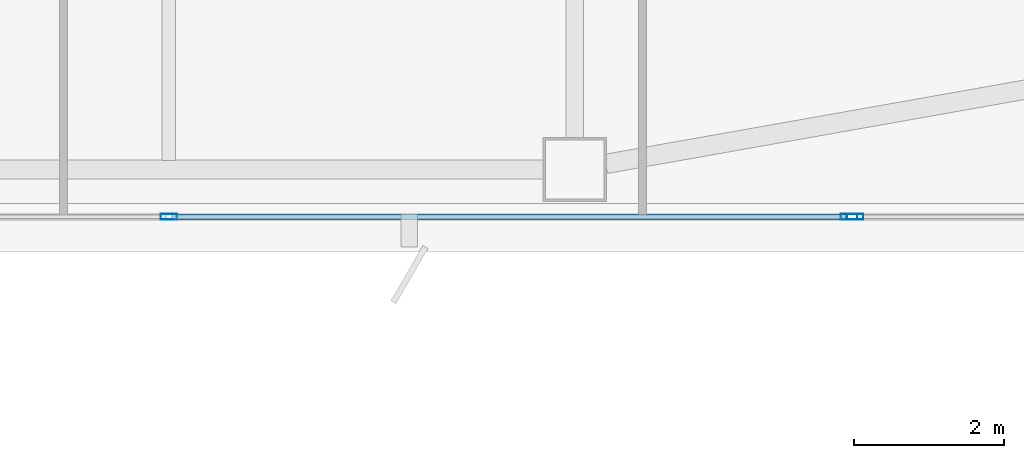
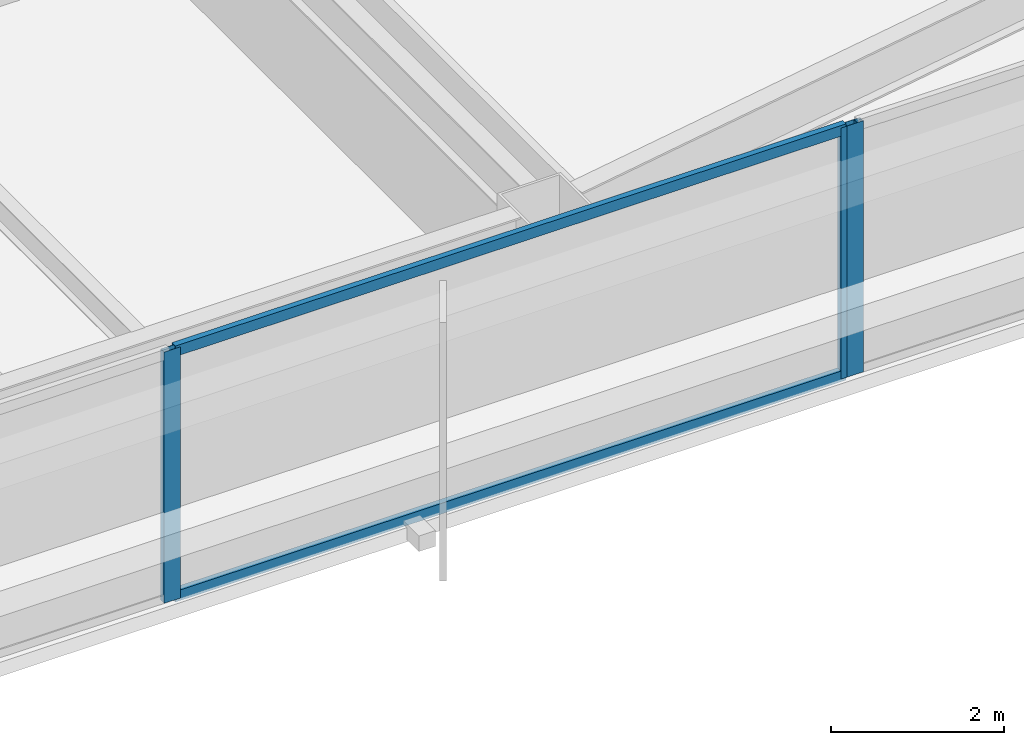
# One storey, part 5 of 49: 5 members, 2 elements without a shape of their own.
"""IFC4 building model written with IfcOpenShell, lengths in metres."""

import ifcopenshell
import ifcopenshell.guid

model = None  # the IFC model being written
_history = None  # IfcOwnerHistory: only IFC2X3 demands one
_inside = {}  # id of a spatial element -> (the spatial element, [elements in it])
_under = {}  # id of a project, library or spatial element -> (it, [spatial elements below it])
_declared = {}  # id of a project -> (the project, [libraries it declares])
_typed = {}  # id of a type object -> (the type object, [elements of that type])
_made_of = {}  # id of a material, layer set ... -> (it, [elements and type objects made of it])


def new_model(schema):
    """Start an empty IFC model of exactly this schema.

    Asked for "IFC4X3", IfcOpenShell would pick the latest addendum, in which some entities
    have other attributes; the version numbers below select the first issue.
    IFC2X3 requires an IfcOwnerHistory on every rooted entity: one is made here for all.
    """
    global model, _history
    if schema == "IFC4X3":
        model = ifcopenshell.file(schema_version=(4, 3, 0, 0))
    else:
        model = ifcopenshell.file(schema=schema)
    _inside.clear()
    _under.clear()
    _declared.clear()
    _typed.clear()
    _made_of.clear()
    _history = None
    if model.schema == "IFC2X3":
        org = make("IfcOrganization", Name="unknown")
        user = make(
            "IfcPersonAndOrganization",
            ThePerson=make("IfcPerson", FamilyName="unknown"),
            TheOrganization=org,
        )
        app = make(
            "IfcApplication",
            ApplicationDeveloper=org,
            Version="unknown",
            ApplicationFullName="unknown",
            ApplicationIdentifier="unknown",
        )
        _history = make(
            "IfcOwnerHistory",
            OwningUser=user,
            OwningApplication=app,
            ChangeAction="ADDED",
            CreationDate=0,
        )
    return model


def make(cls, **values):
    """One entity of the class cls with the attributes given. An attribute that is None is left unset."""
    return model.create_entity(
        cls, **{name: value for name, value in values.items() if value is not None}
    )


def rooted(cls, **values):
    """An entity with a GlobalId (a new one), such as an element, a storey or a relation."""
    return make(cls, GlobalId=ifcopenshell.guid.new(), OwnerHistory=_history, **values)


def si_unit(unit_type, name, prefix=None):
    """IfcSIUnit, for example si_unit("LENGTHUNIT", "METRE", prefix="MILLI")."""
    return make("IfcSIUnit", UnitType=unit_type, Prefix=prefix, Name=name)


def assignment(units):
    """IfcUnitAssignment: the units of a project."""
    return None if units is None else make("IfcUnitAssignment", Units=units)


def point(xyz):
    """IfcCartesianPoint."""
    return None if xyz is None else make("IfcCartesianPoint", Coordinates=xyz)


def direction(xyz):
    """IfcDirection."""
    return None if xyz is None else make("IfcDirection", DirectionRatios=xyz)


def frame(location, z_axis=None, x_axis=None):
    """IfcAxis2Placement3D, a coordinate frame: its origin and axes. An axis left out is left unset."""
    return make(
        "IfcAxis2Placement3D",
        Location=point(location),
        Axis=direction(z_axis),
        RefDirection=direction(x_axis),
    )


def frame_2d(location, x_axis=None):
    """IfcAxis2Placement2D, a coordinate frame in the plane: its origin and x axis."""
    return make(
        "IfcAxis2Placement2D", Location=point(location), RefDirection=direction(x_axis)
    )


def origin():
    """The frame at (0, 0, 0) with its axes left unset."""
    return frame((0.0, 0.0, 0.0))


def origin_2d():
    """The frame at (0, 0) in the plane with its x axis left unset."""
    return frame_2d((0.0, 0.0))


def place(relative_to, where):
    """IfcLocalPlacement: puts the frame where relative to a parent placement (None: the world)."""
    return make(
        "IfcLocalPlacement", PlacementRelTo=relative_to, RelativePlacement=where
    )


def context(
    kind, dimensions, precision=None, world=None, true_north=None, identifier=None
):
    """IfcGeometricRepresentationContext, for example the 3D "Model" context."""
    return make(
        "IfcGeometricRepresentationContext",
        ContextIdentifier=identifier,
        ContextType=kind,
        CoordinateSpaceDimension=dimensions,
        Precision=precision,
        WorldCoordinateSystem=world,
        TrueNorth=true_north,
    )


def subcontext(parent, identifier, kind, view, scale=None):
    """IfcGeometricRepresentationSubContext, for example "Body" below "Model"."""
    return make(
        "IfcGeometricRepresentationSubContext",
        ContextIdentifier=identifier,
        ContextType=kind,
        ParentContext=parent,
        TargetScale=scale,
        TargetView=view,
    )


def project(units=None, contexts=None):
    """IfcProject with its units and contexts."""
    return rooted(
        "IfcProject",
        Name="project",
        RepresentationContexts=contexts,
        UnitsInContext=assignment(units),
    )


def spatial(cls, under=None, at=None, **own):
    """A site, building, storey or space (cls), placed at a placement, below another one or the project."""
    s = rooted(cls, ObjectPlacement=at, **own)
    if under is not None:
        _under.setdefault(under.id(), (under, []))[1].append(s)
    return s


def profile(cls, at=None, kind="AREA", **sizes):
    """A parametric profile (cls). Its sizes go by their IFC names, for example OverallWidth=200.0."""
    return make(cls, ProfileType=kind, Position=at, **sizes)


def hollow_rectangle(**sizes):
    """IfcRectangleHollowProfileDef."""
    return profile("IfcRectangleHollowProfileDef", **sizes)


def extrude(swept, where, along, depth):
    """IfcExtrudedAreaSolid: the profile swept, set in the frame where, extruded along a direction by depth."""
    return make(
        "IfcExtrudedAreaSolid",
        SweptArea=swept,
        Position=where,
        ExtrudedDirection=direction(along),
        Depth=depth,
    )


def shape(context_of_items, identifier, shape_type, items):
    """IfcShapeRepresentation: the items that make up one representation, for example the "Body"."""
    return make(
        "IfcShapeRepresentation",
        ContextOfItems=context_of_items,
        RepresentationIdentifier=identifier,
        RepresentationType=shape_type,
        Items=items,
    )


def material(Name=None, Category=None):
    """IfcMaterial."""
    return make("IfcMaterial", Name=Name, Category=Category)


def material_profile(
    of_material, cross_section, Name=None, Category=None, Priority=None
):
    """IfcMaterialProfile: a cross section and its material."""
    return make(
        "IfcMaterialProfile",
        Name=Name,
        Material=of_material,
        Profile=cross_section,
        Priority=Priority,
        Category=Category,
    )


def profile_set(profiles, Name=None, composite=None):
    """IfcMaterialProfileSet."""
    return make(
        "IfcMaterialProfileSet",
        Name=Name,
        MaterialProfiles=profiles,
        CompositeProfile=composite,
    )


def made_of(thing, what):
    """Note that an element or type object is made of a material, layer set ...; save() writes the relation."""
    if what is not None:
        _made_of.setdefault(what.id(), (what, []))[1].append(thing)
    return thing


def type_object(cls, material=None, **own):
    """A type object (cls), such as IfcWallType, which elements share."""
    return made_of(rooted(cls, **own), material)


def element(
    cls,
    number,
    at=None,
    inside=None,
    cuts=None,
    type_object=None,
    material=None,
    context=None,
    identifier="Body",
    shape_type=None,
    held_by="IfcProductDefinitionShape",
    body=None,
    shapes=None,
    **own,
):
    """One element of the class cls, such as IfcWall. Its Tag is "e" and its number.

    at: its placement. inside: the storey or other place that contains it. cuts: it is an
    opening in that element (IfcRelVoidsElement). A single representation is given by context,
    identifier, shape_type and body (its items); several are given by shapes. held_by: the class
    of the entity that holds the representations. save() writes the other relations.
    """
    e = rooted(cls, Tag="e%d" % number, ObjectPlacement=at, **own)
    if body is not None:
        shapes = [shape(context, identifier, shape_type, body)]
    if shapes is not None:
        e.Representation = make(held_by, Representations=shapes)
    if inside is not None:
        _inside.setdefault(inside.id(), (inside, []))[1].append(e)
    if cuts is not None:
        rooted(
            "IfcRelVoidsElement", RelatingBuildingElement=cuts, RelatedOpeningElement=e
        )
    if type_object is not None:
        _typed.setdefault(type_object.id(), (type_object, []))[1].append(e)
    return made_of(e, material)


def aggregate(whole, parts):
    """IfcRelAggregates: a whole, such as a stair, and the parts it consists of."""
    return rooted("IfcRelAggregates", RelatingObject=whole, RelatedObjects=parts)


def save(model, path):
    """Write the relations noted so far, then the file.

    IfcRelAggregates (storeys below a building ...), IfcRelContainedInSpatialStructure (elements
    in a storey), IfcRelDefinesByType, IfcRelAssociatesMaterial and IfcRelDeclares: one each for
    every whole, place, type object, material and project.
    """
    for whole, parts in _under.values():
        aggregate(whole, parts)
    for where, things in _inside.values():
        rooted(
            "IfcRelContainedInSpatialStructure",
            RelatedElements=things,
            RelatingStructure=where,
        )
    for kind, things in _typed.values():
        rooted("IfcRelDefinesByType", RelatedObjects=things, RelatingType=kind)
    for what, things in _made_of.values():
        rooted("IfcRelAssociatesMaterial", RelatedObjects=things, RelatingMaterial=what)
    for by, libraries in _declared.values():
        rooted("IfcRelDeclares", RelatingContext=by, RelatedDefinitions=libraries)
    model.write(path)


model = new_model("IFC4")

# Units and contexts
model_context = context("Model", 3, precision=1e-05, world=origin(), true_north=direction((0.0, 1.0)))
body_context = subcontext(model_context, "Body", "Model", "MODEL_VIEW")
ifc_project = project(units=[si_unit("LENGTHUNIT", "METRE"), si_unit("AREAUNIT", "SQUARE_METRE"), si_unit("VOLUMEUNIT", "CUBIC_METRE"), si_unit("PLANEANGLEUNIT", "RADIAN"), si_unit("MASSUNIT", "GRAM", prefix="KILO")], contexts=[model_context])

# Site, building, storey
site_placement = place(None, origin())
site = spatial("IfcSite", under=ifc_project, at=site_placement, CompositionType="ELEMENT")
building_placement = place(site_placement, origin())
building = spatial("IfcBuilding", under=site, at=building_placement, Name="Tashvorn Skyway Center", CompositionType="ELEMENT")
storey_placement = place(building_placement, frame((0.0, 0.0, 70.75)))
storey = spatial("IfcBuildingStorey", under=building, at=storey_placement, Name="L18", CompositionType="ELEMENT", Elevation=70.75)

# Curtain wall, member
ifc_material = material(Name="Thermally broken bronze-anodized aluminium 6063-T6", Category="aluminium")
curtain_wall_type = type_object("IfcCurtainWallType", Name="CW-CW-Z2", PredefinedType="NOTDEFINED", material=ifc_material)
curtain_wall_1_placement = place(storey_placement, origin())
curtain_wall_1 = element("IfcCurtainWall", 1, at=curtain_wall_1_placement, inside=storey, type_object=curtain_wall_type, Name="Tower 1 L18 South Unitised Curtain Wall Glazing Group 1", PredefinedType="NOTDEFINED")
ifc_material_profile_1 = material_profile(ifc_material, hollow_rectangle(XDim=0.080078125, YDim=0.219970703125, WallThickness=0.0048828125, at=origin_2d()), Name="ALU-MULL-80x220")
ifc_profile_set_1 = profile_set([ifc_material_profile_1], Name="Thermally broken bronze-anodized aluminium 6063-T6")
member_type_1 = type_object("IfcMemberType", Name="CWM-CW-Z2", PredefinedType="MULLION", material=ifc_profile_set_1)
member_1_placement = place(storey_placement, frame((51.1298828125, 11.02001953125, 0.0), z_axis=(0.0, 0.0, 1.0), x_axis=(0.0, -1.0, 0.0)))
member_1 = element("IfcMember", 2, at=member_1_placement, type_object=member_type_1, Name="CW-Z2 mullion 2", PredefinedType="MULLION", context=body_context, shape_type="SweptSolid", body=[
    extrude(hollow_rectangle(XDim=0.080078125, YDim=0.219970703125, WallThickness=0.0048828125, at=origin_2d()), origin(), (0.0, 0.0, 1.0), 3.550048828125),
])
aggregate(curtain_wall_1, [member_1])

# Curtain wall, members
curtain_wall_2_placement = place(storey_placement, origin())
curtain_wall_2 = element("IfcCurtainWall", 3, at=curtain_wall_2_placement, inside=storey, type_object=curtain_wall_type, Name="Tower 1 L18 South Unitised Curtain Wall Glazing Group 2", PredefinedType="NOTDEFINED")
member_2_placement = place(storey_placement, frame((51.050048828125, 11.02001953125, 0.0), z_axis=(0.0, 0.0, 1.0), x_axis=(0.0, -1.0, 0.0)))
member_2 = element("IfcMember", 4, at=member_2_placement, type_object=member_type_1, Name="CW-Z2 mullion 1", PredefinedType="MULLION", context=body_context, shape_type="SweptSolid", body=[
    extrude(hollow_rectangle(XDim=0.080078125, YDim=0.219970703125, WallThickness=0.0048828125, at=origin_2d()), origin(), (0.0, 0.0, 1.0), 3.550048828125),
])
member_3_placement = place(storey_placement, frame((42.0, 11.02001953125, 0.0), z_axis=(0.0, 0.0, 1.0), x_axis=(0.0, -1.0, 0.0)))
member_3 = element("IfcMember", 5, at=member_3_placement, type_object=member_type_1, Name="CW-Z2 mullion 2", PredefinedType="MULLION", context=body_context, shape_type="SweptSolid", body=[
    extrude(hollow_rectangle(XDim=0.080078125, YDim=0.219970703125, WallThickness=0.0048828125, at=origin_2d()), origin(), (0.0, 0.0, 1.0), 3.550048828125),
])
ifc_material_profile_2 = material_profile(ifc_material, hollow_rectangle(XDim=0.080078125, YDim=0.14990234375, WallThickness=0.00439453125, at=origin_2d()), Name="ALU-TRAN-80x150")
ifc_profile_set_2 = profile_set([ifc_material_profile_2], Name="Thermally broken bronze-anodized aluminium 6063-T6")
member_type_2 = type_object("IfcMemberType", Name="CWT-CW-Z2", PredefinedType="USERDEFINED", material=ifc_profile_set_2)
member_4_placement = place(storey_placement, frame((51.010009765625, 11.02001953125, 0.0400390625), z_axis=(-1.0, 0.0, 0.0), x_axis=(0.0, -1.0, 0.0)))
member_4 = element("IfcMember", 6, at=member_4_placement, type_object=member_type_2, Name="CW-Z2 transom 1.1", ObjectType="TRANSOM", PredefinedType="USERDEFINED", context=body_context, shape_type="SweptSolid", body=[
    extrude(hollow_rectangle(XDim=0.080078125, YDim=0.14990234375, WallThickness=0.00439453125, at=origin_2d()), origin(), (0.0, 0.0, 1.0), 8.969970703125),
])
member_5_placement = place(storey_placement, frame((51.010009765625, 11.02001953125, 3.510009765625), z_axis=(-1.0, 0.0, 0.0), x_axis=(0.0, -1.0, 0.0)))
member_5 = element("IfcMember", 7, at=member_5_placement, type_object=member_type_2, Name="CW-Z2 transom 1.2", ObjectType="TRANSOM", PredefinedType="USERDEFINED", context=body_context, shape_type="SweptSolid", body=[
    extrude(hollow_rectangle(XDim=0.080078125, YDim=0.14990234375, WallThickness=0.00439453125, at=origin_2d()), origin(), (0.0, 0.0, 1.0), 8.969970703125),
])
aggregate(curtain_wall_2, [member_2, member_3, member_4, member_5])

save(model, "model.ifc")
